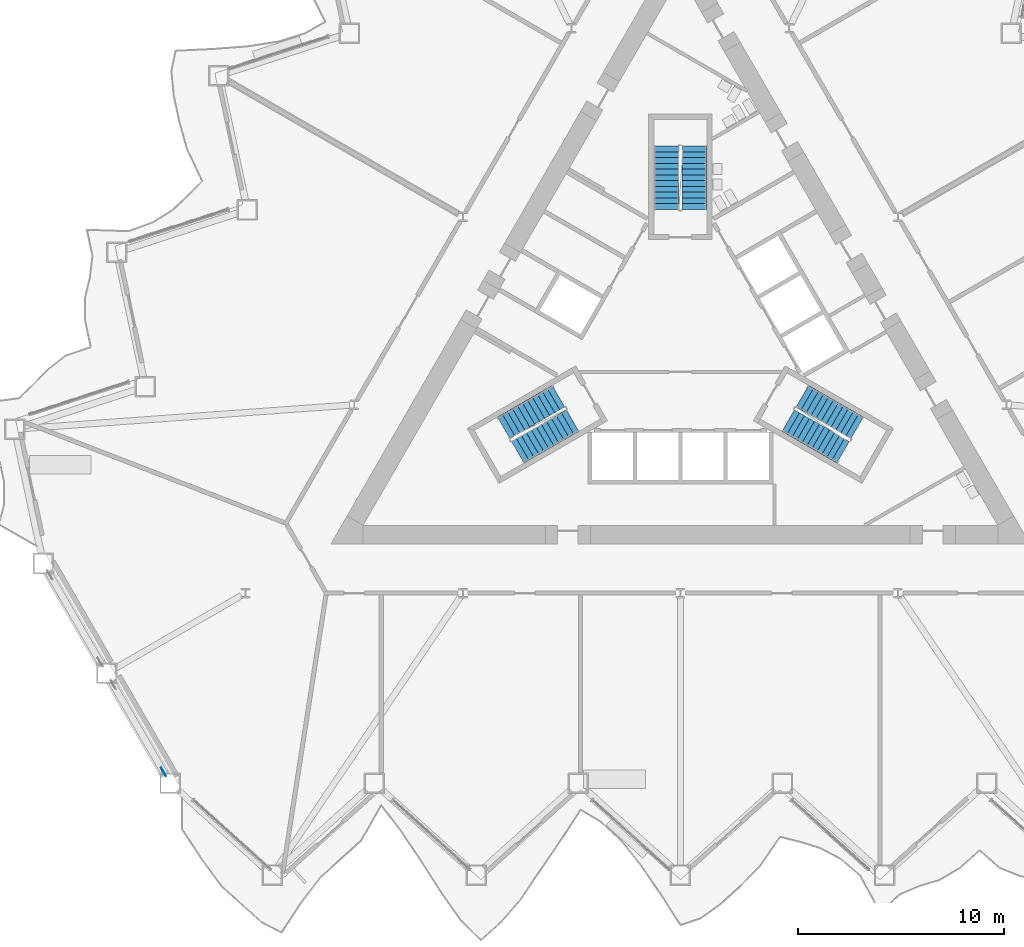
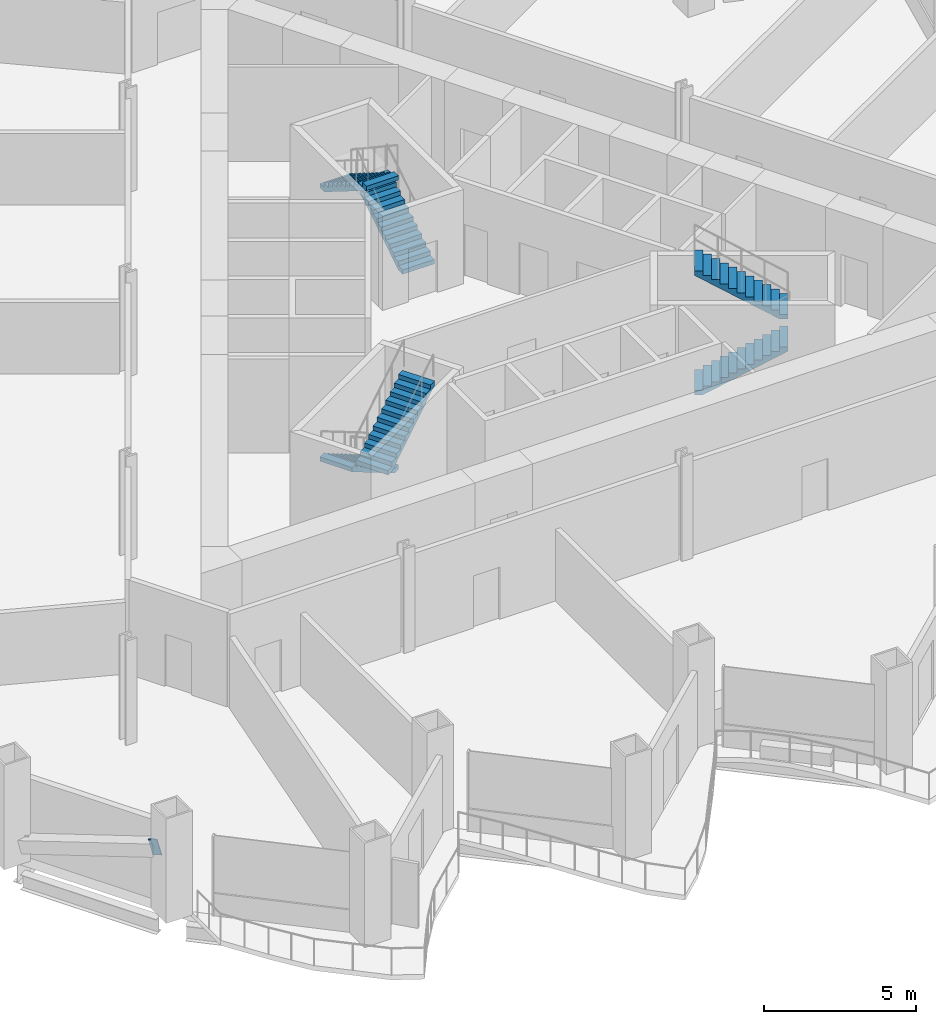
# One storey, part 13 of 21: 6 stair flights, 1 discrete accessory, 3 elements without a shape of their own.
"""IFC4 building model written with IfcOpenShell, lengths in metres."""

from ifc_helpers import new_model, si_unit, direction, frame, origin, origin_2d, place, context, subcontext, project, spatial, polyline, rectangle, outline, extrude, material, material_profile, profile_set, type_object, element, aggregate, save


model = new_model("IFC4")

# Units and contexts
model_context = context("Model", 3, precision=1e-05, world=origin(), true_north=direction((0.0, 1.0)))
body_context = subcontext(model_context, "Body", "Model", "MODEL_VIEW")
ifc_project = project(units=[si_unit("LENGTHUNIT", "METRE"), si_unit("AREAUNIT", "SQUARE_METRE"), si_unit("VOLUMEUNIT", "CUBIC_METRE"), si_unit("PLANEANGLEUNIT", "RADIAN"), si_unit("MASSUNIT", "GRAM", prefix="KILO")], contexts=[model_context])

# Site, building, storey
site_placement = place(None, origin())
site = spatial("IfcSite", under=ifc_project, at=site_placement, CompositionType="ELEMENT")
building_placement = place(site_placement, origin())
building = spatial("IfcBuilding", under=site, at=building_placement, Name="Cormorant Prow Tower", CompositionType="ELEMENT")
storey_placement = place(building_placement, frame((0.0, 0.0, 42.60009765625)))
storey = spatial("IfcBuildingStorey", under=building, at=storey_placement, Name="L08", CompositionType="ELEMENT", Elevation=42.60009765625)

# Stair, stair flights
ifc_material_1 = material(Name="Exit stair 24 risers")
stair_type = type_object("IfcStairType", Name="Exit stair 24 risers", PredefinedType="HALF_TURN_STAIR", material=ifc_material_1)
stair_1_placement = place(storey_placement, origin())
stair_1 = element("IfcStair", 1, at=stair_1_placement, inside=storey, type_object=stair_type, Name="L08 Exit stair ST1", PredefinedType="HALF_TURN_STAIR")
ifc_material_2 = material(Name="Concrete 5000 psi", Category="concrete")
stair_flight_type = type_object("IfcStairFlightType", Name="Stair flight 1219", PredefinedType="STRAIGHT", material=ifc_material_2)
stair_flight_1_placement = place(storey_placement, frame((-5.93310546875, -2.635009765625, 0.0), z_axis=(0.0, 0.0, 1.0), x_axis=(-0.866025403784, -0.5, 0.0)))
stair_flight_1 = element("IfcStairFlight", 2, at=stair_flight_1_placement, type_object=stair_flight_type, Name="ST1 flight 1", NumberOfRisers=12, NumberOfTreads=11, PredefinedType="STRAIGHT", RiserHeight=0.175, TreadLength=0.28, context=body_context, shape_type="SweptSolid", body=[
    extrude(outline(polyline([(0.0, 0.0), (0.0, 0.175048828125), (0.280029296875, 0.175048828125), (0.280029296875, 0.35009765625), (0.56005859375, 0.35009765625), (0.56005859375, 0.52490234375), (0.840087890625, 0.52490234375), (0.840087890625, 0.699951171875), (1.1201171875, 0.699951171875), (1.1201171875, 0.875), (1.39990234375, 0.875), (1.39990234375, 1.050048828125), (1.679931640625, 1.050048828125), (1.679931640625, 1.22509765625), (1.9599609375, 1.22509765625), (1.9599609375, 1.39990234375), (2.239990234375, 1.39990234375), (2.239990234375, 1.574951171875), (2.52001953125, 1.574951171875), (2.52001953125, 1.75), (2.800048828125, 1.75), (2.800048828125, 1.925048828125), (3.080078125, 1.925048828125), (3.080078125, 2.10009765625), (3.080078125, 1.748291015625), (0.28271484375, 0.0), (0.0, 0.0)])), frame((0.0, 0.609375, 0.0), z_axis=(0.0, -1.0, 0.0), x_axis=(1.0, 0.0, 0.0)), (0.0, 0.0, 1.0), 1.218994140625),
])
stair_flight_2_placement = place(storey_placement, frame((-7.916015625, -5.360595703125, 2.099853515625), z_axis=(0.0, 0.0, 1.0), x_axis=(0.866025403784, 0.5, 0.0)))
stair_flight_2 = element("IfcStairFlight", 3, at=stair_flight_2_placement, type_object=stair_flight_type, Name="ST1 flight 2", NumberOfRisers=12, NumberOfTreads=11, PredefinedType="STRAIGHT", RiserHeight=0.175, TreadLength=0.28, context=body_context, shape_type="SweptSolid", body=[
    extrude(outline(polyline([(0.0, 0.0), (0.0, 0.175048828125), (0.280029296875, 0.175048828125), (0.280029296875, 0.35009765625), (0.56005859375, 0.35009765625), (0.56005859375, 0.52490234375), (0.840087890625, 0.52490234375), (0.840087890625, 0.699951171875), (1.1201171875, 0.699951171875), (1.1201171875, 0.875), (1.39990234375, 0.875), (1.39990234375, 1.050048828125), (1.679931640625, 1.050048828125), (1.679931640625, 1.22509765625), (1.9599609375, 1.22509765625), (1.9599609375, 1.39990234375), (2.239990234375, 1.39990234375), (2.239990234375, 1.574951171875), (2.52001953125, 1.574951171875), (2.52001953125, 1.75), (2.800048828125, 1.75), (2.800048828125, 1.925048828125), (3.080078125, 1.925048828125), (3.080078125, 2.10009765625), (3.080078125, 1.748291015625), (0.28271484375, 0.0), (0.0, 0.0)])), frame((0.0, 0.609375, 0.0), z_axis=(0.0, -1.0, 0.0), x_axis=(1.0, 0.0, 0.0)), (0.0, 0.0, 1.0), 1.218994140625),
])
aggregate(stair_1, [stair_flight_1, stair_flight_2])

stair_2_placement = place(storey_placement, origin())
stair_2 = element("IfcStair", 4, at=stair_2_placement, inside=storey, type_object=stair_type, Name="L08 Exit stair ST2", PredefinedType="HALF_TURN_STAIR")
stair_flight_3_placement = place(storey_placement, frame((5.24853515625, -3.82080078125, 0.0), z_axis=(0.0, 0.0, 1.0), x_axis=(0.866025403784, -0.5, 0.0)))
stair_flight_3 = element("IfcStairFlight", 5, at=stair_flight_3_placement, type_object=stair_flight_type, Name="ST2 flight 1", NumberOfRisers=12, NumberOfTreads=11, PredefinedType="STRAIGHT", RiserHeight=0.175, TreadLength=0.28, context=body_context, shape_type="SweptSolid", body=[
    extrude(outline(polyline([(0.0, 0.0), (0.0, 0.175048828125), (0.280029296875, 0.175048828125), (0.280029296875, 0.35009765625), (0.56005859375, 0.35009765625), (0.56005859375, 0.52490234375), (0.840087890625, 0.52490234375), (0.840087890625, 0.699951171875), (1.1201171875, 0.699951171875), (1.1201171875, 0.875), (1.39990234375, 0.875), (1.39990234375, 1.050048828125), (1.679931640625, 1.050048828125), (1.679931640625, 1.22509765625), (1.9599609375, 1.22509765625), (1.9599609375, 1.39990234375), (2.239990234375, 1.39990234375), (2.239990234375, 1.574951171875), (2.52001953125, 1.574951171875), (2.52001953125, 1.75), (2.800048828125, 1.75), (2.800048828125, 1.925048828125), (3.080078125, 1.925048828125), (3.080078125, 2.10009765625), (3.080078125, 1.748291015625), (0.28271484375, 0.0), (0.0, 0.0)])), frame((0.0, 0.609375, 0.0), z_axis=(0.0, -1.0, 0.0), x_axis=(1.0, 0.0, 0.0)), (0.0, 0.0, 1.0), 1.218994140625),
])
stair_flight_4_placement = place(storey_placement, frame((8.6005859375, -4.175048828125, 2.099853515625), z_axis=(0.0, 0.0, 1.0), x_axis=(-0.866025403784, 0.5, 0.0)))
stair_flight_4 = element("IfcStairFlight", 6, at=stair_flight_4_placement, type_object=stair_flight_type, Name="ST2 flight 2", NumberOfRisers=12, NumberOfTreads=11, PredefinedType="STRAIGHT", RiserHeight=0.175, TreadLength=0.28, context=body_context, shape_type="SweptSolid", body=[
    extrude(outline(polyline([(0.0, 0.0), (0.0, 0.175048828125), (0.280029296875, 0.175048828125), (0.280029296875, 0.35009765625), (0.56005859375, 0.35009765625), (0.56005859375, 0.52490234375), (0.840087890625, 0.52490234375), (0.840087890625, 0.699951171875), (1.1201171875, 0.699951171875), (1.1201171875, 0.875), (1.39990234375, 0.875), (1.39990234375, 1.050048828125), (1.679931640625, 1.050048828125), (1.679931640625, 1.22509765625), (1.9599609375, 1.22509765625), (1.9599609375, 1.39990234375), (2.239990234375, 1.39990234375), (2.239990234375, 1.574951171875), (2.52001953125, 1.574951171875), (2.52001953125, 1.75), (2.800048828125, 1.75), (2.800048828125, 1.925048828125), (3.080078125, 1.925048828125), (3.080078125, 2.10009765625), (3.080078125, 1.748291015625), (0.28271484375, 0.0), (0.0, 0.0)])), frame((0.0, 0.609375, 0.0), z_axis=(0.0, -1.0, 0.0), x_axis=(1.0, 0.0, 0.0)), (0.0, 0.0, 1.0), 1.218994140625),
])
aggregate(stair_2, [stair_flight_3, stair_flight_4])

stair_3_placement = place(storey_placement, origin())
stair_3 = element("IfcStair", 7, at=stair_3_placement, inside=storey, type_object=stair_type, Name="L08 Exit stair ST3", PredefinedType="HALF_TURN_STAIR")
stair_flight_5_placement = place(storey_placement, frame((0.6845703125, 6.455810546875, 0.0), z_axis=(0.0, 0.0, 1.0), x_axis=(0.0, 1.0, 0.0)))
stair_flight_5 = element("IfcStairFlight", 8, at=stair_flight_5_placement, type_object=stair_flight_type, Name="ST3 flight 1", NumberOfRisers=12, NumberOfTreads=11, PredefinedType="STRAIGHT", RiserHeight=0.175, TreadLength=0.28, context=body_context, shape_type="SweptSolid", body=[
    extrude(outline(polyline([(0.0, 0.0), (0.0, 0.175048828125), (0.280029296875, 0.175048828125), (0.280029296875, 0.35009765625), (0.56005859375, 0.35009765625), (0.56005859375, 0.52490234375), (0.840087890625, 0.52490234375), (0.840087890625, 0.699951171875), (1.1201171875, 0.699951171875), (1.1201171875, 0.875), (1.39990234375, 0.875), (1.39990234375, 1.050048828125), (1.679931640625, 1.050048828125), (1.679931640625, 1.22509765625), (1.9599609375, 1.22509765625), (1.9599609375, 1.39990234375), (2.239990234375, 1.39990234375), (2.239990234375, 1.574951171875), (2.52001953125, 1.574951171875), (2.52001953125, 1.75), (2.800048828125, 1.75), (2.800048828125, 1.925048828125), (3.080078125, 1.925048828125), (3.080078125, 2.10009765625), (3.080078125, 1.748291015625), (0.28271484375, 0.0), (0.0, 0.0)])), frame((0.0, 0.609375, 0.0), z_axis=(0.0, -1.0, 0.0), x_axis=(1.0, 0.0, 0.0)), (0.0, 0.0, 1.0), 1.218994140625),
])
stair_flight_6_placement = place(storey_placement, frame((-0.6845703125, 9.535888671875, 2.099853515625), z_axis=(0.0, 0.0, 1.0), x_axis=(0.0, -1.0, 0.0)))
stair_flight_6 = element("IfcStairFlight", 9, at=stair_flight_6_placement, type_object=stair_flight_type, Name="ST3 flight 2", NumberOfRisers=12, NumberOfTreads=11, PredefinedType="STRAIGHT", RiserHeight=0.175, TreadLength=0.28, context=body_context, shape_type="SweptSolid", body=[
    extrude(outline(polyline([(0.0, 0.0), (0.0, 0.175048828125), (0.280029296875, 0.175048828125), (0.280029296875, 0.35009765625), (0.56005859375, 0.35009765625), (0.56005859375, 0.52490234375), (0.840087890625, 0.52490234375), (0.840087890625, 0.699951171875), (1.1201171875, 0.699951171875), (1.1201171875, 0.875), (1.39990234375, 0.875), (1.39990234375, 1.050048828125), (1.679931640625, 1.050048828125), (1.679931640625, 1.22509765625), (1.9599609375, 1.22509765625), (1.9599609375, 1.39990234375), (2.239990234375, 1.39990234375), (2.239990234375, 1.574951171875), (2.52001953125, 1.574951171875), (2.52001953125, 1.75), (2.800048828125, 1.75), (2.800048828125, 1.925048828125), (3.080078125, 1.925048828125), (3.080078125, 2.10009765625), (3.080078125, 1.748291015625), (0.28271484375, 0.0), (0.0, 0.0)])), frame((0.0, 0.609375, 0.0), z_axis=(0.0, -1.0, 0.0), x_axis=(1.0, 0.0, 0.0)), (0.0, 0.0, 1.0), 1.218994140625),
])
aggregate(stair_3, [stair_flight_5, stair_flight_6])

# Discrete accessory
ifc_material_3 = material(Name="Structural steel ASTM A500 Gr C", Category="steel")
ifc_material_profile = material_profile(ifc_material_3, rectangle(XDim=0.031982421875, YDim=0.60791015625, at=origin_2d()), Name="Gusset plate 32x608")
ifc_profile_set = profile_set([ifc_material_profile], Name="Structural steel ASTM A500 Gr C")
discrete_accessory_type = type_object("IfcDiscreteAccessoryType", Name="Gusset plate 32x608", PredefinedType="BRACKET", material=ifc_profile_set)
discrete_accessory_placement = place(storey_placement, frame((-25.232421875, -20.763427734375, 2.32958984375), z_axis=(0.475651503409, -0.824369614413, 0.306871937683), x_axis=(0.866161185697, 0.499764745047, 0.0)))
element("IfcDiscreteAccessory", 10, at=discrete_accessory_placement, inside=storey, type_object=discrete_accessory_type, Name="Gusset plate GP1 L08.WSW01.g1", PredefinedType="BRACKET", context=body_context, shape_type="SweptSolid", body=[
    extrude(rectangle(XDim=0.031982421875, YDim=0.60791015625, at=origin_2d()), origin(), (0.0, 0.0, 1.0), 0.35009765625),
])

save(model, "model.ifc")
